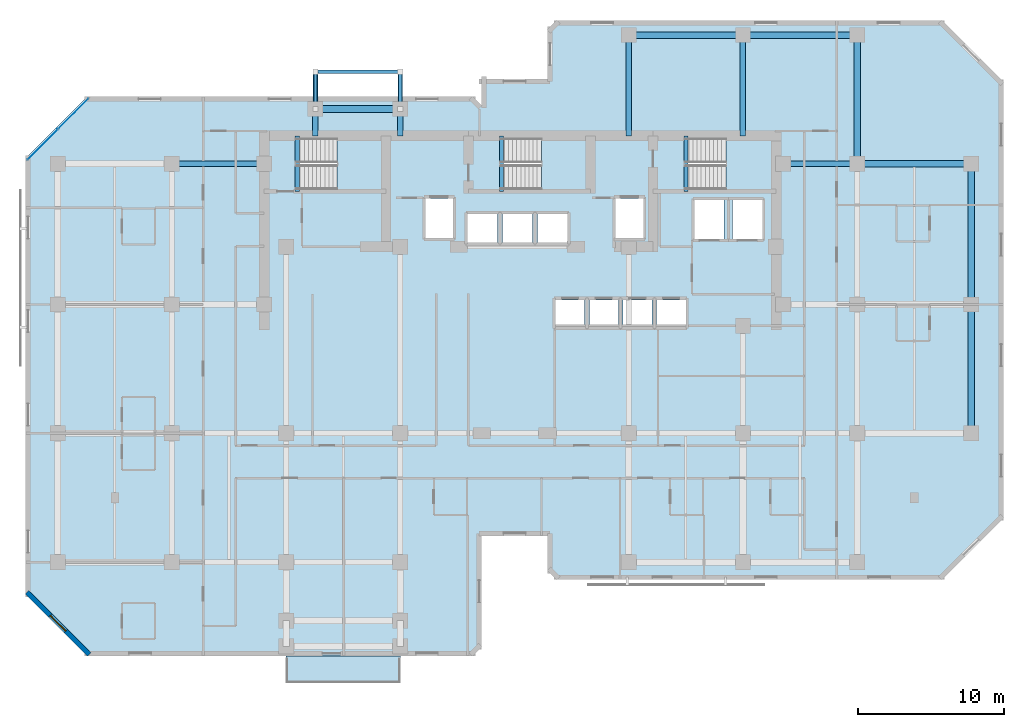
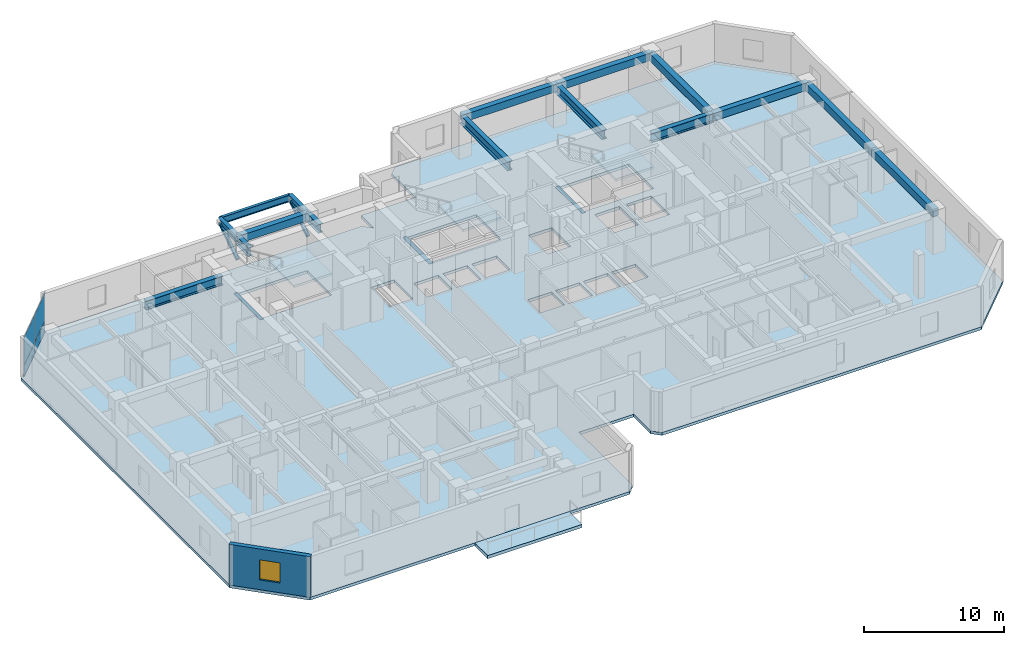
# One storey, part 3 of 11: 19 beams, 5 slabs, 4 plates, 2 members, 1 wall, 1 window, 1 opening, 4 elements without a shape of their own.
"""IFC4 building model written with IfcOpenShell, lengths in metres."""

from ifc_helpers import new_model, si_unit, direction, frame, frame_2d, origin, origin_2d, place, context, subcontext, project, spatial, polyline, rectangle, hollow_rectangle, i_section, outline, extrude, material, layer, layer_set, material_profile, profile_set, type_object, element, fill, aggregate, save


model = new_model("IFC4")

# Units and contexts
model_context = context("Model", 3, precision=1e-05, world=origin(), true_north=direction((0.0, 1.0)))
body_context = subcontext(model_context, "Body", "Model", "MODEL_VIEW")
ifc_project = project(units=[si_unit("LENGTHUNIT", "METRE"), si_unit("AREAUNIT", "SQUARE_METRE"), si_unit("VOLUMEUNIT", "CUBIC_METRE"), si_unit("PLANEANGLEUNIT", "RADIAN"), si_unit("MASSUNIT", "GRAM", prefix="KILO")], contexts=[model_context])

# Site, building, storey
site_placement = place(None, origin())
site = spatial("IfcSite", under=ifc_project, at=site_placement, CompositionType="ELEMENT")
building_placement = place(site_placement, origin())
building = spatial("IfcBuilding", under=site, at=building_placement, Name="Kestravale Grand Hotel", CompositionType="ELEMENT")
storey_placement = place(building_placement, frame((0.0, 0.0, 172.60009765625)))
storey = spatial("IfcBuildingStorey", under=building, at=storey_placement, Name="L43", CompositionType="ELEMENT", Elevation=172.60009765625)

# Beams
ifc_material_1 = material(Name="Concrete f'c 45 MPa", Category="concrete")
ifc_material_profile_1 = material_profile(ifc_material_1, rectangle(XDim=0.300048828125, YDim=0.39990234375, at=origin_2d()))
ifc_profile_set_1 = profile_set([ifc_material_profile_1], Name="Concrete f'c 45 MPa")
beam_type_1 = type_object("IfcBeamType", Name="B-FLR-LNT400", PredefinedType="LINTEL", material=ifc_profile_set_1)
for number, where, z_axis, x_axis, name in (
    (1, (24.159912109375, 36.52001953125, -0.2001953125), (0.0, 1.0, 0.0), (-1.0, 0.0, 0.0), "L43 ST1 flight bottom header beam"),
    (2, (38.110107421875, 36.52001953125, -0.2001953125), (0.0, 1.0, 0.0), (-1.0, 0.0, 0.0), "L43 ST2 flight bottom header beam"),
    (3, (50.7099609375, 36.52001953125, -0.2001953125), (0.0, 1.0, 0.0), (-1.0, 0.0, 0.0), "L43 ST3 flight bottom header beam"),
):
    element("IfcBeam", number, at=place(storey_placement, frame(where, z_axis=z_axis, x_axis=x_axis)), inside=storey, type_object=beam_type_1, Name=name, PredefinedType="LINTEL", context=body_context, shape_type="SweptSolid", body=[
        extrude(rectangle(XDim=0.300048828125, YDim=0.39990234375, at=origin_2d()), origin(), (0.0, 0.0, 1.0), 3.800048828125),
    ])
ifc_material_2 = material(Name="Concrete f'c 45 MPa", Category="concrete")
ifc_material_profile_2 = material_profile(ifc_material_2, rectangle(XDim=0.449951171875, YDim=0.64990234375, at=origin_2d()))
ifc_profile_set_2 = profile_set([ifc_material_profile_2], Name="Concrete f'c 45 MPa")
beam_type_2 = type_object("IfcBeamType", Name="B-FLR-RC650", PredefinedType="SPANDREL", material=ifc_profile_set_2)
for number, where, z_axis, x_axis, name in (
    (4, (62.39990234375, 38.39990234375, 3.224853515625), (1.0, 0.0, 0.0), (0.0, 1.0, 0.0), "L43 spandrel F:10-11"),
    (5, (46.800048828125, 47.199951171875, 3.224853515625), (1.0, 0.0, 0.0), (0.0, 1.0, 0.0), "L43 spandrel G:8-9"),
):
    element("IfcBeam", number, at=place(storey_placement, frame(where, z_axis=z_axis, x_axis=x_axis)), inside=storey, type_object=beam_type_2, Name=name, PredefinedType="SPANDREL", context=body_context, shape_type="SweptSolid", body=[
        extrude(rectangle(XDim=0.449951171875, YDim=0.64990234375, at=origin_2d()), origin(), (0.0, 0.0, 1.0), 7.800048828125),
    ])
beam_1_placement = place(storey_placement, frame((54.60009765625, 47.199951171875, 3.224853515625), z_axis=(1.0, 0.0, 0.0), x_axis=(0.0, 1.0, 0.0)))
element("IfcBeam", 6, at=beam_1_placement, inside=storey, type_object=beam_type_2, Name="L43 spandrel G:9-10", PredefinedType="SPANDREL", context=body_context, shape_type="SweptSolid", body=[
    extrude(rectangle(XDim=0.449951171875, YDim=0.64990234375, at=origin_2d()), origin(), (0.0, 0.0, 1.0), 7.7998046875),
])
beam_2_placement = place(storey_placement, frame((25.39990234375, 42.14990234375, 3.224853515625), z_axis=(1.0, 0.0, 0.0), x_axis=(0.0, 1.0, 0.0)))
element("IfcBeam", 7, at=beam_2_placement, inside=storey, type_object=beam_type_2, Name="L43 perimeter tie spandrel FN:4-5", PredefinedType="SPANDREL", context=body_context, shape_type="SweptSolid", body=[
    extrude(rectangle(XDim=0.449951171875, YDim=0.64990234375, at=origin_2d()), origin(), (0.0, 0.0, 1.0), 5.800048828125),
])
for number, where, z_axis, x_axis, name in (
    (8, (62.39990234375, 38.39990234375, 3.224853515625), (0.0, 1.0, 0.0), (-1.0, 0.0, 0.0), "L43 spandrel 10:F-G"),
    (9, (70.199951171875, 20.0, 3.224853515625), (0.0, 1.0, 0.0), (-1.0, 0.0, 0.0), "L43 spandrel 11:D-E"),
):
    element("IfcBeam", number, at=place(storey_placement, frame(where, z_axis=z_axis, x_axis=x_axis)), inside=storey, type_object=beam_type_2, Name=name, PredefinedType="SPANDREL", context=body_context, shape_type="SweptSolid", body=[
        extrude(rectangle(XDim=0.449951171875, YDim=0.64990234375, at=origin_2d()), origin(), (0.0, 0.0, 1.0), 8.800048828125),
    ])
beam_3_placement = place(storey_placement, frame((70.199951171875, 28.800048828125, 3.224853515625), z_axis=(0.0, 1.0, 0.0), x_axis=(-1.0, 0.0, 0.0)))
element("IfcBeam", 10, at=beam_3_placement, inside=storey, type_object=beam_type_2, Name="L43 spandrel 11:E-F", PredefinedType="SPANDREL", context=body_context, shape_type="SweptSolid", body=[
    extrude(rectangle(XDim=0.449951171875, YDim=0.64990234375, at=origin_2d()), origin(), (0.0, 0.0, 1.0), 9.599853515625),
])
ifc_material_3 = material(Name="Steel ASTM A992 Grade 50", Category="steel")
ifc_material_profile_3 = material_profile(ifc_material_3, i_section(OverallWidth=0.324951171875, OverallDepth=0.612060546875, WebThickness=0.0126953125, FlangeThickness=0.01904296875, FilletRadius=0.018798828125, at=origin_2d()))
ifc_profile_set_3 = profile_set([ifc_material_profile_3], Name="Steel ASTM A992 Grade 50")
beam_type_3 = type_object("IfcBeamType", Name="B-FLR-W24A", PredefinedType="SPANDREL", material=ifc_profile_set_3)
for number, where, z_axis, x_axis, name in (
    (11, (25.39990234375, 42.14990234375, 3.223876953125), (0.0, 1.0, 0.0), (-1.0, 0.0, 0.0), "L44 terrace cantilever beam 1"),
    (12, (31.199951171875, 42.14990234375, 3.223876953125), (0.0, 1.0, 0.0), (-1.0, 0.0, 0.0), "L44 terrace cantilever beam 2"),
):
    element("IfcBeam", number, at=place(storey_placement, frame(where, z_axis=z_axis, x_axis=x_axis)), inside=storey, type_object=beam_type_3, Name=name, PredefinedType="SPANDREL", context=body_context, shape_type="SweptSolid", body=[
        extrude(i_section(OverallWidth=0.324951171875, OverallDepth=0.612060546875, WebThickness=0.0126953125, FlangeThickness=0.01904296875, FilletRadius=0.018798828125, at=origin_2d()), origin(), (0.0, 0.0, 1.0), 2.550048828125),
    ])
ifc_material_4 = material(Name="Steel ASTM A992 Grade 50", Category="steel")
ifc_material_profile_4 = material_profile(ifc_material_4, i_section(OverallWidth=0.22900390625, OverallDepth=0.612060546875, WebThickness=0.011962890625, FlangeThickness=0.01953125, FilletRadius=0.019287109375, at=origin_2d()))
ifc_profile_set_4 = profile_set([ifc_material_profile_4], Name="Steel ASTM A992 Grade 50")
beam_type_4 = type_object("IfcBeamType", Name="B-FLR-W24B", PredefinedType="SPANDREL", material=ifc_profile_set_4)
beam_4_placement = place(storey_placement, frame((25.39990234375, 44.699951171875, 3.223876953125), z_axis=(1.0, 0.0, 0.0), x_axis=(0.0, 1.0, 0.0)))
element("IfcBeam", 13, at=beam_4_placement, inside=storey, type_object=beam_type_4, Name="L44 terrace edge spandrel", PredefinedType="SPANDREL", context=body_context, shape_type="SweptSolid", body=[
    extrude(i_section(OverallWidth=0.22900390625, OverallDepth=0.612060546875, WebThickness=0.011962890625, FlangeThickness=0.01953125, FilletRadius=0.019287109375, at=origin_2d()), origin(), (0.0, 0.0, 1.0), 5.800048828125),
])
ifc_material_5 = material(Name="Steel ASTM A992 Grade 50", Category="steel")
ifc_material_profile_5 = material_profile(ifc_material_5, i_section(OverallWidth=0.381103515625, OverallDepth=0.77197265625, WebThickness=0.0166015625, FlangeThickness=0.027099609375, FilletRadius=0.023681640625, at=origin_2d()))
ifc_profile_set_5 = profile_set([ifc_material_profile_5], Name="Steel ASTM A992 Grade 50")
beam_type_5 = type_object("IfcBeamType", Name="B-GRD-W30", PredefinedType="BEAM", material=ifc_profile_set_5)
beam_5_placement = place(storey_placement, frame((15.60009765625, 38.39990234375, 3.163818359375), z_axis=(1.0, 0.0, 0.0), x_axis=(0.0, 1.0, 0.0)))
element("IfcBeam", 14, at=beam_5_placement, inside=storey, type_object=beam_type_5, Name="L43 girder F:3-CW", PredefinedType="BEAM", context=body_context, shape_type="SweptSolid", body=[
    extrude(i_section(OverallWidth=0.381103515625, OverallDepth=0.77197265625, WebThickness=0.0166015625, FlangeThickness=0.027099609375, FilletRadius=0.023681640625, at=origin_2d()), origin(), (0.0, 0.0, 1.0), 6.2998046875),
])
beam_6_placement = place(storey_placement, frame((57.35009765625, 38.39990234375, 3.163818359375), z_axis=(1.0, 0.0, 0.0), x_axis=(0.0, 1.0, 0.0)))
element("IfcBeam", 15, at=beam_6_placement, inside=storey, type_object=beam_type_5, Name="L43 girder F:CE-10", PredefinedType="BEAM", context=body_context, shape_type="SweptSolid", body=[
    extrude(i_section(OverallWidth=0.381103515625, OverallDepth=0.77197265625, WebThickness=0.0166015625, FlangeThickness=0.027099609375, FilletRadius=0.023681640625, at=origin_2d()), origin(), (0.0, 0.0, 1.0), 5.0498046875),
])
for number, where, z_axis, x_axis, name in (
    (16, (25.39990234375, 40.320068359375, 3.163818359375), (0.0, 1.0, 0.0), (-1.0, 0.0, 0.0), "L43 north wing tie girder 4:CN-FN"),
    (17, (31.199951171875, 40.320068359375, 3.163818359375), (0.0, 1.0, 0.0), (-1.0, 0.0, 0.0), "L43 north wing tie girder 5:CN-FN"),
):
    element("IfcBeam", number, at=place(storey_placement, frame(where, z_axis=z_axis, x_axis=x_axis)), inside=storey, type_object=beam_type_5, Name=name, PredefinedType="BEAM", context=body_context, shape_type="SweptSolid", body=[
        extrude(i_section(OverallWidth=0.381103515625, OverallDepth=0.77197265625, WebThickness=0.0166015625, FlangeThickness=0.027099609375, FilletRadius=0.023681640625, at=origin_2d()), origin(), (0.0, 0.0, 1.0), 1.829833984375),
    ])
for number, where, z_axis, x_axis, name in (
    (18, (46.800048828125, 40.320068359375, 3.163818359375), (0.0, 1.0, 0.0), (-1.0, 0.0, 0.0), "L43 north wing tie girder 8:CN-G"),
    (19, (54.60009765625, 40.320068359375, 3.163818359375), (0.0, 1.0, 0.0), (-1.0, 0.0, 0.0), "L43 north wing tie girder 9:CN-G"),
):
    element("IfcBeam", number, at=place(storey_placement, frame(where, z_axis=z_axis, x_axis=x_axis)), inside=storey, type_object=beam_type_5, Name=name, PredefinedType="BEAM", context=body_context, shape_type="SweptSolid", body=[
        extrude(i_section(OverallWidth=0.381103515625, OverallDepth=0.77197265625, WebThickness=0.0166015625, FlangeThickness=0.027099609375, FilletRadius=0.023681640625, at=origin_2d()), origin(), (0.0, 0.0, 1.0), 6.8798828125),
    ])

# Members
ifc_material_6 = material(Name="Steel ASTM A500 Grade C", Category="steel")
ifc_material_profile_6 = material_profile(ifc_material_6, hollow_rectangle(XDim=0.25, YDim=0.25, WallThickness=0.011962890625, InnerFilletRadius=0.011962890625, OuterFilletRadius=0.02392578125, at=origin_2d()))
ifc_profile_set_6 = profile_set([ifc_material_profile_6], Name="Steel ASTM A500 Grade C")
member_type = type_object("IfcMemberType", Name="M-BLT-STR250", PredefinedType="STRUT", material=ifc_profile_set_6)
for number, where, z_axis, x_axis, name in (
    (20, (25.39990234375, 42.14990234375, 1.3740234375), (0.0, 0.832062549723, 0.554681812707), (-1.0, 0.0, 0.0), "L44 terrace knee-brace strut 1"),
    (21, (31.199951171875, 42.14990234375, 1.3740234375), (0.0, 0.832062549723, 0.554681812707), (-1.0, 0.0, 0.0), "L44 terrace knee-brace strut 2"),
):
    element("IfcMember", number, at=place(storey_placement, frame(where, z_axis=z_axis, x_axis=x_axis)), inside=storey, type_object=member_type, Name=name, PredefinedType="STRUT", context=body_context, shape_type="SweptSolid", body=[
        extrude(hollow_rectangle(XDim=0.25, YDim=0.25, WallThickness=0.011962890625, InnerFilletRadius=0.011962890625, OuterFilletRadius=0.02392578125, at=origin_2d()), origin(), (0.0, 0.0, 1.0), 3.064697265625),
    ])

# Curtain wall, plates
ifc_material_7 = material(Name="Thermally broken champagne-bronze aluminium and low-E glazing", Category="aluminium")
ifc_layer_1 = layer(ifc_material_7, 0.179931640625)
ifc_layer_set_1 = layer_set([ifc_layer_1], Name="CW-Z3")
curtain_wall_type = type_object("IfcCurtainWallType", Name="CW-Z3", PredefinedType="NOTDEFINED", material=ifc_layer_set_1)
curtain_wall_placement = place(storey_placement, origin())
curtain_wall = element("IfcCurtainWall", 22, at=curtain_wall_placement, inside=storey, type_object=curtain_wall_type, Name="L43 unitised curtain wall 18", PredefinedType="NOTDEFINED")
ifc_material_8 = material(Name="Insulated clear low-E double glazing IGU", Category="glass")
ifc_layer_2 = layer(ifc_material_8, 0.031982421875)
ifc_layer_set_2 = layer_set([ifc_layer_2], Name="CW-PNL-32")
plate_type = type_object("IfcPlateType", Name="CW-PNL-32", PredefinedType="CURTAIN_PANEL", material=ifc_layer_set_2)
plate_1_placement = place(storey_placement, frame((8.86572265625, 41.825439453125, 0.06494140625), z_axis=(0.0, 0.0, 1.0), x_axis=(-0.707106781187, -0.707106781187, 0.0)))
plate_1 = element("IfcPlate", 23, at=plate_1_placement, type_object=plate_type, Name="CW-Z3 panel 1.1", PredefinedType="CURTAIN_PANEL", context=body_context, shape_type="SweptSolid", body=[
    extrude(rectangle(XDim=2.892333984375, YDim=0.031982421875, at=origin_2d()), origin(), (0.0, 0.0, 1.0), 0.952392578125),
])
plate_2_placement = place(storey_placement, frame((8.86572265625, 41.825439453125, 1.08251953125), z_axis=(0.0, 0.0, 1.0), x_axis=(-0.707106781187, -0.707106781187, 0.0)))
plate_2 = element("IfcPlate", 24, at=plate_2_placement, type_object=plate_type, Name="CW-Z3 panel 1.2", PredefinedType="CURTAIN_PANEL", context=body_context, shape_type="SweptSolid", body=[
    extrude(rectangle(XDim=2.892333984375, YDim=0.031982421875, at=origin_2d()), origin(), (0.0, 0.0, 1.0), 2.402587890625),
])
plate_3_placement = place(storey_placement, frame((6.774658203125, 39.734130859375, 0.06494140625), z_axis=(0.0, 0.0, 1.0), x_axis=(-0.707106781187, -0.707106781187, 0.0)))
plate_3 = element("IfcPlate", 25, at=plate_3_placement, type_object=plate_type, Name="CW-Z3 panel 2.1", PredefinedType="CURTAIN_PANEL", context=body_context, shape_type="SweptSolid", body=[
    extrude(rectangle(XDim=2.892333984375, YDim=0.031982421875, at=origin_2d()), origin(), (0.0, 0.0, 1.0), 0.952392578125),
])
plate_4_placement = place(storey_placement, frame((6.774658203125, 39.734130859375, 1.08251953125), z_axis=(0.0, 0.0, 1.0), x_axis=(-0.707106781187, -0.707106781187, 0.0)))
plate_4 = element("IfcPlate", 26, at=plate_4_placement, type_object=plate_type, Name="CW-Z3 panel 2.2", PredefinedType="CURTAIN_PANEL", context=body_context, shape_type="SweptSolid", body=[
    extrude(rectangle(XDim=2.892333984375, YDim=0.031982421875, at=origin_2d()), origin(), (0.0, 0.0, 1.0), 2.402587890625),
])
aggregate(curtain_wall, [plate_1, plate_2, plate_3, plate_4])

# Slab
ifc_material_9 = material(Name="Concrete f'c 45 MPa", Category="concrete")
ifc_layer_3 = layer(ifc_material_9, 0.27001953125)
ifc_layer_set_3 = layer_set([ifc_layer_3], Name="ES-TERR-270")
slab_type_1 = type_object("IfcSlabType", Name="ES-TERR-270", PredefinedType="FLOOR", material=ifc_layer_set_3)
slab_1_placement = place(storey_placement, frame((0.0, 0.0, -0.27001953125)))
element("IfcSlab", 27, at=slab_1_placement, inside=storey, type_object=slab_type_1, Name="L43 spiralling planted garden terrace", PredefinedType="FLOOR", context=body_context, shape_type="SweptSolid", body=[
    extrude(outline(polyline([(23.39990234375, 2.949951171875), (31.199951171875, 2.949951171875), (31.199951171875, 4.800048828125), (23.39990234375, 4.800048828125), (23.39990234375, 2.949951171875)])), origin(), (0.0, 0.0, 1.0), 0.27001953125),
])

# Stair, slab
ifc_material_10 = material(Name="Concrete f'c 45 MPa", Category="concrete")
stair_type = type_object("IfcStairType", Name="ST-CORE-380", PredefinedType="HALF_TURN_STAIR", material=ifc_material_10)
stair_1_placement = place(storey_placement, origin())
stair_1 = element("IfcStair", 28, at=stair_1_placement, inside=storey, type_object=stair_type, Name="L43 ST-1", PredefinedType="HALF_TURN_STAIR")
ifc_material_11 = material(Name="Concrete f'c 45 MPa", Category="concrete")
ifc_layer_4 = layer(ifc_material_11, 0.199951171875)
ifc_layer_set_4 = layer_set([ifc_layer_4], Name="SLB-ST-LND200")
slab_type_2 = type_object("IfcSlabType", Name="SLB-ST-LND200", PredefinedType="LANDING", material=ifc_layer_set_4)
slab_2_placement = place(storey_placement, frame((0.0, 0.0, 1.699951171875)))
slab_2 = element("IfcSlab", 29, at=slab_2_placement, type_object=slab_type_2, Name="ST-1 landing 1", PredefinedType="LANDING", context=body_context, shape_type="SweptSolid", body=[
    extrude(outline(polyline([(26.8798828125, 36.64990234375), (30.0, 36.64990234375), (30.0, 40.159912109375), (26.8798828125, 40.159912109375), (26.8798828125, 36.64990234375)])), origin(), (0.0, 0.0, 1.0), 0.199951171875),
])
aggregate(stair_1, [slab_2])

stair_2_placement = place(storey_placement, origin())
stair_2 = element("IfcStair", 30, at=stair_2_placement, inside=storey, type_object=stair_type, Name="L43 ST-2", PredefinedType="HALF_TURN_STAIR")
slab_3_placement = place(storey_placement, frame((0.0, 0.0, 1.699951171875)))
slab_3 = element("IfcSlab", 31, at=slab_3_placement, type_object=slab_type_2, Name="ST-2 landing 1", PredefinedType="LANDING", context=body_context, shape_type="SweptSolid", body=[
    extrude(outline(polyline([(40.830078125, 36.64990234375), (43.949951171875, 36.64990234375), (43.949951171875, 40.159912109375), (40.830078125, 40.159912109375), (40.830078125, 36.64990234375)])), origin(), (0.0, 0.0, 1.0), 0.199951171875),
])
aggregate(stair_2, [slab_3])

stair_3_placement = place(storey_placement, origin())
stair_3 = element("IfcStair", 32, at=stair_3_placement, inside=storey, type_object=stair_type, Name="L43 ST-3", PredefinedType="HALF_TURN_STAIR")
slab_4_placement = place(storey_placement, frame((0.0, 0.0, 1.699951171875)))
slab_4 = element("IfcSlab", 33, at=slab_4_placement, type_object=slab_type_2, Name="ST-3 landing 1", PredefinedType="LANDING", context=body_context, shape_type="SweptSolid", body=[
    extrude(outline(polyline([(53.429931640625, 36.64990234375), (56.550048828125, 36.64990234375), (56.550048828125, 40.159912109375), (53.429931640625, 40.159912109375), (53.429931640625, 36.64990234375)])), origin(), (0.0, 0.0, 1.0), 0.199951171875),
])
aggregate(stair_3, [slab_4])

# Slab
ifc_material_12 = material(Name="Concrete f'c 45 MPa", Category="concrete")
ifc_layer_5 = layer(ifc_material_12, 0.25)
ifc_layer_set_5 = layer_set([ifc_layer_5], Name="SS-FLR-250")
slab_type_3 = type_object("IfcSlabType", Name="SS-FLR-250", PredefinedType="FLOOR", material=ifc_layer_set_5)
slab_5_placement = place(storey_placement, frame((0.0, 0.0, -0.25)))
element("IfcSlab", 34, at=slab_5_placement, inside=storey, type_object=slab_type_3, Name="L43 structural floor slab", PredefinedType="FLOOR", context=body_context, shape_type="SweptSolid", body=[
    extrude(outline(polyline([(9.800048828125, 4.800048828125), (36.14990234375, 4.800048828125), (36.75, 5.39990234375), (36.75, 13.0), (41.25, 13.0), (41.25, 10.60009765625), (41.85009765625, 10.0), (68.199951171875, 10.0), (72.39990234375, 14.199951171875), (72.39990234375, 44.0), (68.199951171875, 48.199951171875), (41.85009765625, 48.199951171875), (41.25, 47.60009765625), (41.25, 44.199951171875), (36.75, 44.199951171875), (36.75, 42.39990234375), (36.14990234375, 43.0), (9.800048828125, 43.0), (5.60009765625, 38.800048828125), (5.60009765625, 9.0), (9.800048828125, 4.800048828125)]), holes=[polyline([(24.080078125, 36.64990234375), (30.0, 36.64990234375), (30.0, 40.159912109375), (24.080078125, 40.159912109375), (24.080078125, 36.64990234375)]), polyline([(38.030029296875, 36.64990234375), (43.949951171875, 36.64990234375), (43.949951171875, 40.159912109375), (38.030029296875, 40.159912109375), (38.030029296875, 36.64990234375)]), polyline([(50.6298828125, 36.64990234375), (56.550048828125, 36.64990234375), (56.550048828125, 40.159912109375), (50.6298828125, 40.159912109375), (50.6298828125, 36.64990234375)]), polyline([(41.804931640625, 27.280029296875), (43.794921875, 27.280029296875), (43.794921875, 29.1201171875), (41.804931640625, 29.1201171875), (41.804931640625, 27.280029296875)]), polyline([(44.10498046875, 27.280029296875), (46.094970703125, 27.280029296875), (46.094970703125, 29.1201171875), (44.10498046875, 29.1201171875), (44.10498046875, 27.280029296875)]), polyline([(46.405029296875, 27.280029296875), (48.39501953125, 27.280029296875), (48.39501953125, 29.1201171875), (46.405029296875, 29.1201171875), (46.405029296875, 27.280029296875)]), polyline([(48.705078125, 27.280029296875), (50.695068359375, 27.280029296875), (50.695068359375, 29.1201171875), (48.705078125, 29.1201171875), (48.705078125, 27.280029296875)]), polyline([(35.780029296875, 33.030029296875), (37.820068359375, 33.030029296875), (37.820068359375, 34.969970703125), (35.780029296875, 34.969970703125), (35.780029296875, 33.030029296875)]), polyline([(38.179931640625, 33.030029296875), (40.219970703125, 33.030029296875), (40.219970703125, 34.969970703125), (38.179931640625, 34.969970703125), (38.179931640625, 33.030029296875)]), polyline([(40.580078125, 33.030029296875), (42.6201171875, 33.030029296875), (42.6201171875, 34.969970703125), (40.580078125, 34.969970703125), (40.580078125, 33.030029296875)]), polyline([(32.905029296875, 33.35498046875), (34.794921875, 33.35498046875), (34.794921875, 36.044921875), (32.905029296875, 36.044921875), (32.905029296875, 33.35498046875)]), polyline([(45.905029296875, 33.35498046875), (47.794921875, 33.35498046875), (47.794921875, 36.044921875), (45.905029296875, 36.044921875), (45.905029296875, 33.35498046875)]), polyline([(51.280029296875, 33.280029296875), (53.320068359375, 33.280029296875), (53.320068359375, 35.919921875), (51.280029296875, 35.919921875), (51.280029296875, 33.280029296875)]), polyline([(53.8798828125, 33.280029296875), (55.919921875, 33.280029296875), (55.919921875, 35.919921875), (53.8798828125, 35.919921875), (53.8798828125, 33.280029296875)])]), origin(), (0.0, 0.0, 1.0), 0.25),
])

# Wall, opening, window
ifc_material_13 = material(Name="Precast concrete f'c 45 MPa", Category="concrete")
ifc_layer_6 = layer(ifc_material_13, 0.340087890625)
ifc_layer_set_6 = layer_set([ifc_layer_6], Name="EW-PREC-340")
wall_type = type_object("IfcWallType", Name="EW-PREC-340", PredefinedType="SOLIDWALL", material=ifc_layer_set_6)
wall_placement = place(storey_placement, frame((5.69189453125, 9.1484375, 0.0), z_axis=(0.0, 0.0, 1.0), x_axis=(0.707106781187, -0.707106781187, 0.0)))
wall = element("IfcWall", 35, at=wall_placement, inside=storey, type_object=wall_type, Name="L43 fluted precast facade wall 20", PredefinedType="SOLIDWALL", context=body_context, shape_type="SweptSolid", body=[
    extrude(rectangle(XDim=6.019775390625, YDim=0.340087890625, at=frame_2d((3.009765625, 0.0))), origin(), (0.0, 0.0, 1.0), 3.5498046875),
])
opening_placement = place(wall_placement, frame((2.260009765625, 0.0, 0.85009765625)))
opening = element("IfcOpeningElement", 36, at=opening_placement, cuts=wall, Name="Opening W-GUEST-1500", PredefinedType="OPENING", context=body_context, shape_type="SweptSolid", body=[
    extrude(rectangle(XDim=1.5, YDim=1.75, at=frame_2d((0.75, 0.875))), frame((0.0, 0.179931640625, 0.0), z_axis=(0.0, -1.0, 0.0), x_axis=(1.0, 0.0, 0.0)), (0.0, 0.0, 1.0), 0.360107421875),
])
ifc_material_14 = material(Name="Insulated low-E double glazing in aluminium frame", Category="aluminium")
window_type = type_object("IfcWindowType", Name="W-GUEST-1500", PartitioningType="SINGLE_PANEL", PredefinedType="WINDOW", material=ifc_material_14)
window_placement = place(opening_placement, origin())
window = element("IfcWindow", 37, at=window_placement, inside=storey, type_object=window_type, Name="L43 exterior window 20.1", OverallHeight=1.75, OverallWidth=1.5, PartitioningType="SINGLE_PANEL", PredefinedType="WINDOW", context=body_context, shape_type="SweptSolid", body=[
    extrude(rectangle(XDim=1.5, YDim=1.75, at=frame_2d((0.75, 0.875))), frame((0.0, 0.030029296875, 0.0), z_axis=(0.0, -1.0, 0.0), x_axis=(1.0, 0.0, 0.0)), (0.0, 0.0, 1.0), 0.06005859375),
])
fill(opening, window)

save(model, "model.ifc")
